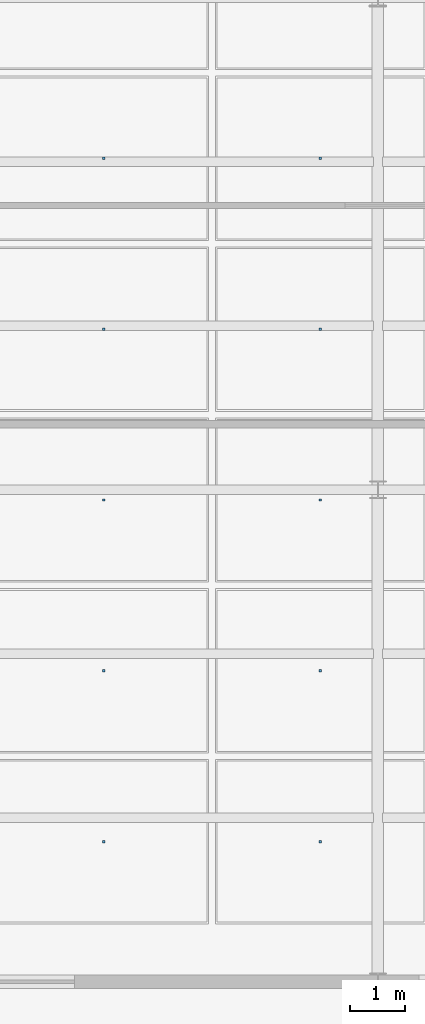
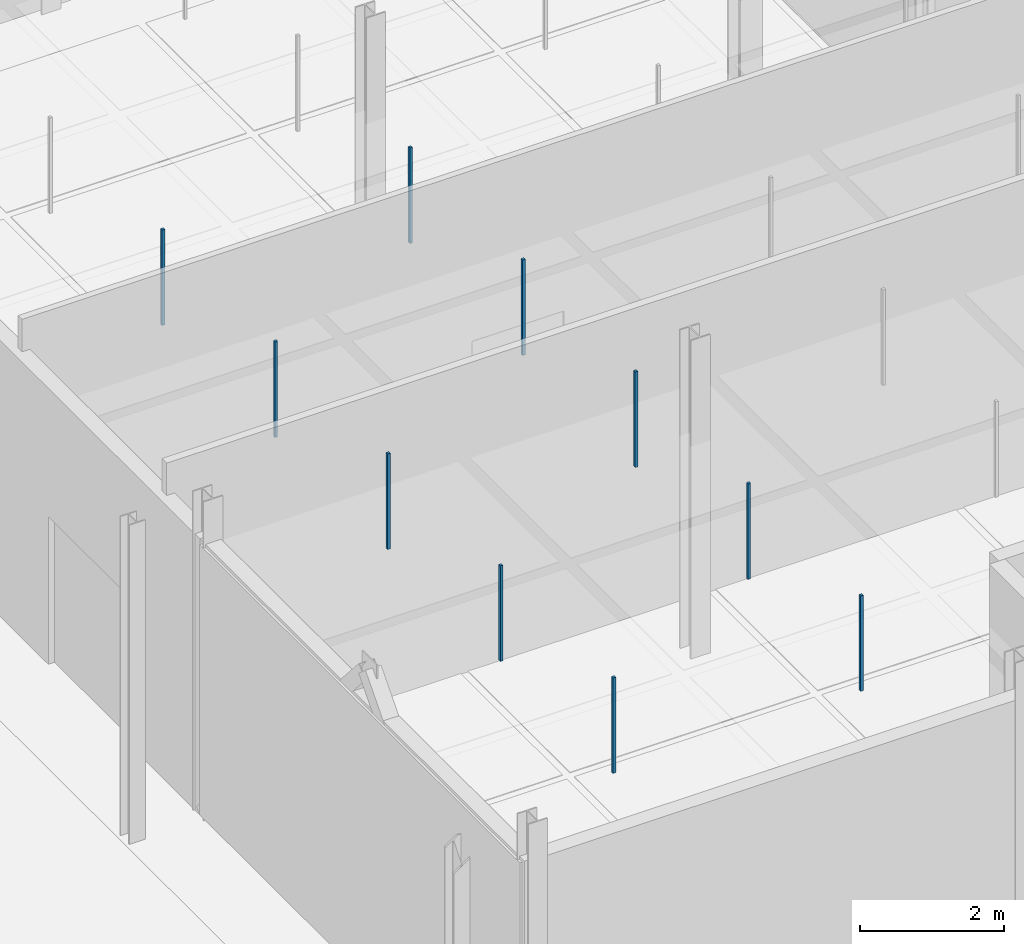
# One storey, part 124 of 180: 10 discrete accessories.
"""IFC4 building model written with IfcOpenShell, lengths in metres."""

from ifc_helpers import new_model, si_unit, direction, frame, origin, origin_2d, place, context, subcontext, project, spatial, rectangle, extrude, material, type_object, element, save


model = new_model("IFC4")

# Units and contexts
model_context = context("Model", 3, precision=1e-05, world=origin(), true_north=direction((0.0, 1.0)))
body_context = subcontext(model_context, "Body", "Model", "MODEL_VIEW")
ifc_project = project(units=[si_unit("LENGTHUNIT", "METRE"), si_unit("AREAUNIT", "SQUARE_METRE"), si_unit("VOLUMEUNIT", "CUBIC_METRE"), si_unit("PLANEANGLEUNIT", "RADIAN"), si_unit("MASSUNIT", "GRAM", prefix="KILO"), si_unit("THERMODYNAMICTEMPERATUREUNIT", "KELVIN"), si_unit("POWERUNIT", "WATT")], contexts=[model_context])

# Site, building, storey
site_placement = place(None, origin())
site = spatial("IfcSite", under=ifc_project, at=site_placement, CompositionType="ELEMENT")
building_placement = place(site_placement, origin())
building = spatial("IfcBuilding", under=site, at=building_placement, Name="Tallowbark Science Centre", CompositionType="ELEMENT")
storey_placement = place(building_placement, origin())
storey = spatial("IfcBuildingStorey", under=building, at=storey_placement, Name="L00", CompositionType="ELEMENT", Elevation=0.0)

# Discrete accessories
ifc_material = material(Name="Galvanised Steel Grade C350L0 (350 MPa)", Category="steel")
discrete_accessory_type = type_object("IfcDiscreteAccessoryType", Name="ACC-CLG-HNG", PredefinedType="BRACKET", material=ifc_material)
for number, where, z_axis, x_axis, name in (
    (1, (57.982177734375, 74.5625, 3.60498046875), (0.0, 0.0, 1.0), (1.0, 0.0, 0.0), "Ceiling Hanger Bracket L00-297"),
    (2, (57.982177734375, 77.6875, 3.60498046875), (0.0, 0.0, 1.0), (1.0, 0.0, 0.0), "Ceiling Hanger Bracket L00-298"),
    (3, (57.982177734375, 80.8125, 3.60498046875), (0.0, 0.0, 1.0), (1.0, 0.0, 0.0), "Ceiling Hanger Bracket L00-299"),
    (4, (57.982177734375, 83.9375, 3.60498046875), (0.0, 0.0, 1.0), (1.0, 0.0, 0.0), "Ceiling Hanger Bracket L00-300"),
    (5, (57.982177734375, 87.0625, 3.60498046875), (0.0, 0.0, 1.0), (1.0, 0.0, 0.0), "Ceiling Hanger Bracket L00-301"),
    (6, (61.9462890625, 74.5625, 3.60498046875), (0.0, 0.0, 1.0), (1.0, 0.0, 0.0), "Ceiling Hanger Bracket L00-305"),
    (7, (61.9462890625, 77.6875, 3.60498046875), (0.0, 0.0, 1.0), (1.0, 0.0, 0.0), "Ceiling Hanger Bracket L00-306"),
    (8, (61.9462890625, 80.8125, 3.60498046875), (0.0, 0.0, 1.0), (1.0, 0.0, 0.0), "Ceiling Hanger Bracket L00-307"),
    (9, (61.9462890625, 83.9375, 3.60498046875), (0.0, 0.0, 1.0), (1.0, 0.0, 0.0), "Ceiling Hanger Bracket L00-308"),
    (10, (61.9462890625, 87.0625, 3.60498046875), (0.0, 0.0, 1.0), (1.0, 0.0, 0.0), "Ceiling Hanger Bracket L00-309"),
):
    element("IfcDiscreteAccessory", number, at=place(storey_placement, frame(where, z_axis=z_axis, x_axis=x_axis)), inside=storey, type_object=discrete_accessory_type, Name=name, PredefinedType="BRACKET", context=body_context, shape_type="SweptSolid", body=[
        extrude(rectangle(XDim=0.044921875, YDim=0.044921875, at=origin_2d()), origin(), (0.0, 0.0, 1.0), 1.617919921875),
    ])

save(model, "model.ifc")
